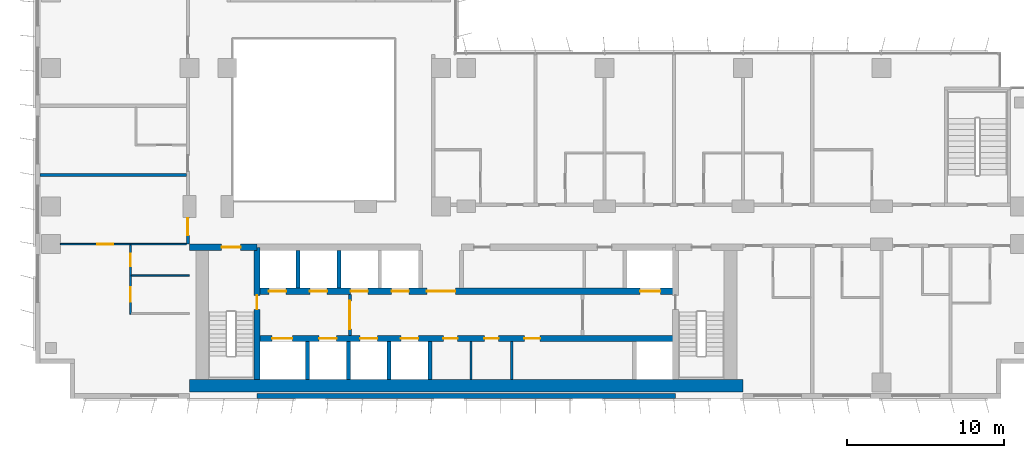
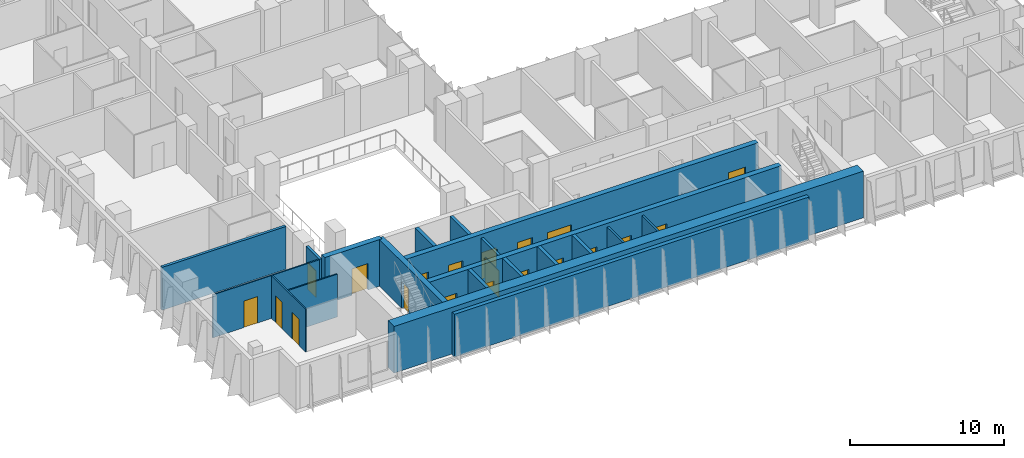
# One storey, part 12 of 23: 20 doors, 20 walls, 20 openings.
"""IFC4 building model written with IfcOpenShell, lengths in metres."""

import ifcopenshell
import ifcopenshell.guid

model = None  # the IFC model being written
_history = None  # IfcOwnerHistory: only IFC2X3 demands one
_inside = {}  # id of a spatial element -> (the spatial element, [elements in it])
_under = {}  # id of a project, library or spatial element -> (it, [spatial elements below it])
_declared = {}  # id of a project -> (the project, [libraries it declares])
_typed = {}  # id of a type object -> (the type object, [elements of that type])
_made_of = {}  # id of a material, layer set ... -> (it, [elements and type objects made of it])


def new_model(schema):
    """Start an empty IFC model of exactly this schema.

    Asked for "IFC4X3", IfcOpenShell would pick the latest addendum, in which some entities
    have other attributes; the version numbers below select the first issue.
    IFC2X3 requires an IfcOwnerHistory on every rooted entity: one is made here for all.
    """
    global model, _history
    if schema == "IFC4X3":
        model = ifcopenshell.file(schema_version=(4, 3, 0, 0))
    else:
        model = ifcopenshell.file(schema=schema)
    _inside.clear()
    _under.clear()
    _declared.clear()
    _typed.clear()
    _made_of.clear()
    _history = None
    if model.schema == "IFC2X3":
        org = make("IfcOrganization", Name="unknown")
        user = make(
            "IfcPersonAndOrganization",
            ThePerson=make("IfcPerson", FamilyName="unknown"),
            TheOrganization=org,
        )
        app = make(
            "IfcApplication",
            ApplicationDeveloper=org,
            Version="unknown",
            ApplicationFullName="unknown",
            ApplicationIdentifier="unknown",
        )
        _history = make(
            "IfcOwnerHistory",
            OwningUser=user,
            OwningApplication=app,
            ChangeAction="ADDED",
            CreationDate=0,
        )
    return model


def make(cls, **values):
    """One entity of the class cls with the attributes given. An attribute that is None is left unset."""
    return model.create_entity(
        cls, **{name: value for name, value in values.items() if value is not None}
    )


def rooted(cls, **values):
    """An entity with a GlobalId (a new one), such as an element, a storey or a relation."""
    return make(cls, GlobalId=ifcopenshell.guid.new(), OwnerHistory=_history, **values)


def si_unit(unit_type, name, prefix=None):
    """IfcSIUnit, for example si_unit("LENGTHUNIT", "METRE", prefix="MILLI")."""
    return make("IfcSIUnit", UnitType=unit_type, Prefix=prefix, Name=name)


def assignment(units):
    """IfcUnitAssignment: the units of a project."""
    return None if units is None else make("IfcUnitAssignment", Units=units)


def point(xyz):
    """IfcCartesianPoint."""
    return None if xyz is None else make("IfcCartesianPoint", Coordinates=xyz)


def direction(xyz):
    """IfcDirection."""
    return None if xyz is None else make("IfcDirection", DirectionRatios=xyz)


def frame(location, z_axis=None, x_axis=None):
    """IfcAxis2Placement3D, a coordinate frame: its origin and axes. An axis left out is left unset."""
    return make(
        "IfcAxis2Placement3D",
        Location=point(location),
        Axis=direction(z_axis),
        RefDirection=direction(x_axis),
    )


def frame_2d(location, x_axis=None):
    """IfcAxis2Placement2D, a coordinate frame in the plane: its origin and x axis."""
    return make(
        "IfcAxis2Placement2D", Location=point(location), RefDirection=direction(x_axis)
    )


def origin():
    """The frame at (0, 0, 0) with its axes left unset."""
    return frame((0.0, 0.0, 0.0))


def place(relative_to, where):
    """IfcLocalPlacement: puts the frame where relative to a parent placement (None: the world)."""
    return make(
        "IfcLocalPlacement", PlacementRelTo=relative_to, RelativePlacement=where
    )


def context(
    kind, dimensions, precision=None, world=None, true_north=None, identifier=None
):
    """IfcGeometricRepresentationContext, for example the 3D "Model" context."""
    return make(
        "IfcGeometricRepresentationContext",
        ContextIdentifier=identifier,
        ContextType=kind,
        CoordinateSpaceDimension=dimensions,
        Precision=precision,
        WorldCoordinateSystem=world,
        TrueNorth=true_north,
    )


def subcontext(parent, identifier, kind, view, scale=None):
    """IfcGeometricRepresentationSubContext, for example "Body" below "Model"."""
    return make(
        "IfcGeometricRepresentationSubContext",
        ContextIdentifier=identifier,
        ContextType=kind,
        ParentContext=parent,
        TargetScale=scale,
        TargetView=view,
    )


def project(units=None, contexts=None):
    """IfcProject with its units and contexts."""
    return rooted(
        "IfcProject",
        Name="project",
        RepresentationContexts=contexts,
        UnitsInContext=assignment(units),
    )


def spatial(cls, under=None, at=None, **own):
    """A site, building, storey or space (cls), placed at a placement, below another one or the project."""
    s = rooted(cls, ObjectPlacement=at, **own)
    if under is not None:
        _under.setdefault(under.id(), (under, []))[1].append(s)
    return s


def profile(cls, at=None, kind="AREA", **sizes):
    """A parametric profile (cls). Its sizes go by their IFC names, for example OverallWidth=200.0."""
    return make(cls, ProfileType=kind, Position=at, **sizes)


def rectangle(**sizes):
    """IfcRectangleProfileDef."""
    return profile("IfcRectangleProfileDef", **sizes)


def extrude(swept, where, along, depth):
    """IfcExtrudedAreaSolid: the profile swept, set in the frame where, extruded along a direction by depth."""
    return make(
        "IfcExtrudedAreaSolid",
        SweptArea=swept,
        Position=where,
        ExtrudedDirection=direction(along),
        Depth=depth,
    )


def shape(context_of_items, identifier, shape_type, items):
    """IfcShapeRepresentation: the items that make up one representation, for example the "Body"."""
    return make(
        "IfcShapeRepresentation",
        ContextOfItems=context_of_items,
        RepresentationIdentifier=identifier,
        RepresentationType=shape_type,
        Items=items,
    )


def material(Name=None, Category=None):
    """IfcMaterial."""
    return make("IfcMaterial", Name=Name, Category=Category)


def layer(
    of_material, thickness, ventilated=None, Name=None, Category=None, Priority=None
):
    """IfcMaterialLayer: one layer of a wall or slab, of a material (None: an air gap)."""
    return make(
        "IfcMaterialLayer",
        Material=of_material,
        LayerThickness=thickness,
        IsVentilated=ventilated,
        Name=Name,
        Category=Category,
        Priority=Priority,
    )


def layer_set(layers, Name=None):
    """IfcMaterialLayerSet."""
    return make("IfcMaterialLayerSet", MaterialLayers=layers, LayerSetName=Name)


def made_of(thing, what):
    """Note that an element or type object is made of a material, layer set ...; save() writes the relation."""
    if what is not None:
        _made_of.setdefault(what.id(), (what, []))[1].append(thing)
    return thing


def type_object(cls, material=None, **own):
    """A type object (cls), such as IfcWallType, which elements share."""
    return made_of(rooted(cls, **own), material)


def element(
    cls,
    number,
    at=None,
    inside=None,
    cuts=None,
    type_object=None,
    material=None,
    context=None,
    identifier="Body",
    shape_type=None,
    held_by="IfcProductDefinitionShape",
    body=None,
    shapes=None,
    **own,
):
    """One element of the class cls, such as IfcWall. Its Tag is "e" and its number.

    at: its placement. inside: the storey or other place that contains it. cuts: it is an
    opening in that element (IfcRelVoidsElement). A single representation is given by context,
    identifier, shape_type and body (its items); several are given by shapes. held_by: the class
    of the entity that holds the representations. save() writes the other relations.
    """
    e = rooted(cls, Tag="e%d" % number, ObjectPlacement=at, **own)
    if body is not None:
        shapes = [shape(context, identifier, shape_type, body)]
    if shapes is not None:
        e.Representation = make(held_by, Representations=shapes)
    if inside is not None:
        _inside.setdefault(inside.id(), (inside, []))[1].append(e)
    if cuts is not None:
        rooted(
            "IfcRelVoidsElement", RelatingBuildingElement=cuts, RelatedOpeningElement=e
        )
    if type_object is not None:
        _typed.setdefault(type_object.id(), (type_object, []))[1].append(e)
    return made_of(e, material)


def fill(opening, filler):
    """IfcRelFillsElement: the door or window that sits in an opening."""
    return rooted(
        "IfcRelFillsElement",
        RelatingOpeningElement=opening,
        RelatedBuildingElement=filler,
    )


def aggregate(whole, parts):
    """IfcRelAggregates: a whole, such as a stair, and the parts it consists of."""
    return rooted("IfcRelAggregates", RelatingObject=whole, RelatedObjects=parts)


def save(model, path):
    """Write the relations noted so far, then the file.

    IfcRelAggregates (storeys below a building ...), IfcRelContainedInSpatialStructure (elements
    in a storey), IfcRelDefinesByType, IfcRelAssociatesMaterial and IfcRelDeclares: one each for
    every whole, place, type object, material and project.
    """
    for whole, parts in _under.values():
        aggregate(whole, parts)
    for where, things in _inside.values():
        rooted(
            "IfcRelContainedInSpatialStructure",
            RelatedElements=things,
            RelatingStructure=where,
        )
    for kind, things in _typed.values():
        rooted("IfcRelDefinesByType", RelatedObjects=things, RelatingType=kind)
    for what, things in _made_of.values():
        rooted("IfcRelAssociatesMaterial", RelatedObjects=things, RelatingMaterial=what)
    for by, libraries in _declared.values():
        rooted("IfcRelDeclares", RelatingContext=by, RelatedDefinitions=libraries)
    model.write(path)


model = new_model("IFC4")

# Units and contexts
model_context = context("Model", 3, precision=1e-05, world=origin(), true_north=direction((0.0, 1.0)))
body_context = subcontext(model_context, "Body", "Model", "MODEL_VIEW")
ifc_project = project(units=[si_unit("LENGTHUNIT", "METRE"), si_unit("AREAUNIT", "SQUARE_METRE"), si_unit("VOLUMEUNIT", "CUBIC_METRE"), si_unit("PLANEANGLEUNIT", "RADIAN"), si_unit("MASSUNIT", "GRAM", prefix="KILO")], contexts=[model_context])

# Site, building, storey
site_placement = place(None, origin())
site = spatial("IfcSite", under=ifc_project, at=site_placement, CompositionType="ELEMENT")
building_placement = place(site_placement, origin())
building = spatial("IfcBuilding", under=site, at=building_placement, Name="Kemantara Hotel Tower", CompositionType="ELEMENT")
storey_placement = place(building_placement, frame((0.0, 0.0, 114.800048828125)))
storey = spatial("IfcBuildingStorey", under=building, at=storey_placement, Name="L27", CompositionType="ELEMENT", Elevation=114.800048828125)

# Walls
ifc_material_1 = material(Name="Bronze anodised aluminium cladding on insulated steel stud wall", Category="steel")
ifc_layer_1 = layer(ifc_material_1, 0.300048828125)
ifc_layer_set_1 = layer_set([ifc_layer_1], Name="Bronze anodised aluminium cladding on insulated steel stud wall")
wall_type_1 = type_object("IfcWallType", Name="BRONZE METAL-CLAD EXTERNAL WALL 300", PredefinedType="STANDARD", material=ifc_layer_set_1)
wall_1_placement = place(storey_placement, frame((14.10009765625, 0.14990234375, 0.0), z_axis=(0.0, 0.0, 1.0), x_axis=(1.0, 0.0, 0.0)))
element("IfcWall", 1, at=wall_1_placement, inside=storey, type_object=wall_type_1, Name="EXTERNAL WALL L27 T2-R07-2", PredefinedType="STANDARD", context=body_context, shape_type="SweptSolid", body=[
    extrude(rectangle(XDim=26.599853515625, YDim=0.300048828125, at=frame_2d((13.2998046875, 0.0))), origin(), (0.0, 0.0, 1.0), 3.39990234375),
])
ifc_material_2 = material(Name="Concrete fc 70 MPa", Category="concrete")
ifc_layer_2 = layer(ifc_material_2, 0.25)
ifc_layer_set_2 = layer_set([ifc_layer_2], Name="Concrete fc 70 MPa")
wall_type_2 = type_object("IfcWallType", Name="CORE WALL 250 FC70", PredefinedType="SHEAR", material=ifc_layer_set_2)
for number, where, z_axis, x_axis, name in (
    (2, (17.300048828125, 1.199951171875, 0.0), (0.0, 0.0, 1.0), (0.0, 1.0, 0.0), "CORE WALL CW-DS17.3"),
    (3, (19.89990234375, 1.199951171875, 0.0), (0.0, 0.0, 1.0), (0.0, 1.0, 0.0), "CORE WALL CW-DS19.9"),
    (4, (22.5, 1.199951171875, 0.0), (0.0, 0.0, 1.0), (0.0, 1.0, 0.0), "CORE WALL CW-DS22.5"),
    (5, (25.10009765625, 1.199951171875, 0.0), (0.0, 0.0, 1.0), (0.0, 1.0, 0.0), "CORE WALL CW-DS25.1"),
):
    element("IfcWall", number, at=place(storey_placement, frame(where, z_axis=z_axis, x_axis=x_axis)), inside=storey, type_object=wall_type_2, Name=name, PredefinedType="SHEAR", context=body_context, shape_type="SweptSolid", body=[
        extrude(rectangle(XDim=2.400146484375, YDim=0.25, at=frame_2d((1.2001953125, 0.0))), origin(), (0.0, 0.0, 1.0), 3.699951171875),
    ])
for number, where, z_axis, x_axis, name in (
    (6, (16.699951171875, 7.0, 0.0), (0.0, 0.0, 1.0), (0.0, 1.0, 0.0), "CORE WALL CW-DN16.7"),
    (7, (19.300048828125, 7.0, 0.0), (0.0, 0.0, 1.0), (0.0, 1.0, 0.0), "CORE WALL CW-DN19.3"),
):
    element("IfcWall", number, at=place(storey_placement, frame(where, z_axis=z_axis, x_axis=x_axis)), inside=storey, type_object=wall_type_2, Name=name, PredefinedType="SHEAR", context=body_context, shape_type="SweptSolid", body=[
        extrude(rectangle(XDim=2.39990234375, YDim=0.25, at=frame_2d((1.199951171875, 0.0))), origin(), (0.0, 0.0, 1.0), 3.699951171875),
    ])

# Wall, opening, door
ifc_layer_3 = layer(ifc_material_2, 0.39990234375)
ifc_layer_set_3 = layer_set([ifc_layer_3], Name="Concrete fc 70 MPa")
wall_type_3 = type_object("IfcWallType", Name="CORE WALL 400 FC70", PredefinedType="SHEAR", material=ifc_layer_set_3)
wall_2_placement = place(storey_placement, frame((9.800048828125, 9.60009765625, 0.0), z_axis=(0.0, 0.0, 1.0), x_axis=(1.0, 0.0, 0.0)))
wall_2 = element("IfcWall", 8, at=wall_2_placement, inside=storey, type_object=wall_type_3, Name="CORE WALL CW-N1", PredefinedType="SHEAR", context=body_context, shape_type="SweptSolid", body=[
    extrude(rectangle(XDim=4.300048828125, YDim=0.39990234375, at=frame_2d((2.14990234375, 0.0))), origin(), (0.0, 0.0, 1.0), 3.699951171875),
])
opening_1_placement = place(wall_2_placement, frame((2.050048828125, 0.0, 0.0)))
opening_1 = element("IfcOpeningElement", 9, at=opening_1_placement, cuts=wall_2, Name="Opening C19-ST1-C", PredefinedType="OPENING", context=body_context, shape_type="SweptSolid", body=[
    extrude(rectangle(XDim=1.199951171875, YDim=2.10009765625, at=frame_2d((0.60009765625, 1.050048828125))), frame((0.0, 0.2099609375, 0.0), z_axis=(0.0, -1.0, 0.0), x_axis=(1.0, 0.0, 0.0)), (0.0, 0.0, 1.0), 0.419921875),
])
ifc_material_3 = material(Name="Steel fire door", Category="steel")
door_type_1 = type_object("IfcDoorType", Name="Fire door FD90 1200 x 2100", OperationType="NOTDEFINED", PredefinedType="DOOR", material=ifc_material_3)
door_1_placement = place(opening_1_placement, frame((1.199951171875, 0.0, 0.0), z_axis=(0.0, 0.0, 1.0), x_axis=(-1.0, 0.0, 0.0)))
door_1 = element("IfcDoor", 10, at=door_1_placement, inside=storey, type_object=door_type_1, Name="Stair ST1 door to corridor", OperationType="SINGLE_SWING_LEFT", OverallHeight=2.10009765625, OverallWidth=1.199951171875, PredefinedType="DOOR", context=body_context, shape_type="SweptSolid", body=[
    extrude(rectangle(XDim=1.199951171875, YDim=2.10009765625, at=frame_2d((0.60009765625, 1.050048828125))), frame((0.0, 0.02490234375, 0.0), z_axis=(0.0, -1.0, 0.0), x_axis=(1.0, 0.0, 0.0)), (0.0, 0.0, 1.0), 0.050048828125),
])
fill(opening_1, door_1)

# Wall, openings, doors
wall_3_placement = place(storey_placement, frame((14.10009765625, 3.800048828125, 0.0), z_axis=(0.0, 0.0, 1.0), x_axis=(1.0, 0.0, 0.0)))
wall_3 = element("IfcWall", 11, at=wall_3_placement, inside=storey, type_object=wall_type_3, Name="CORE WALL CW-L1", PredefinedType="SHEAR", context=body_context, shape_type="SweptSolid", body=[
    extrude(rectangle(XDim=26.599853515625, YDim=0.39990234375, at=frame_2d((13.2998046875, 0.0))), origin(), (0.0, 0.0, 1.0), 3.699951171875),
])
opening_2_placement = place(wall_3_placement, frame((0.949951171875, 0.0, 0.0)))
opening_2 = element("IfcOpeningElement", 12, at=opening_2_placement, cuts=wall_3, Name="Opening C19-LD-FF1", PredefinedType="OPENING", context=body_context, shape_type="SweptSolid", body=[
    extrude(rectangle(XDim=1.300048828125, YDim=2.10009765625, at=frame_2d((0.64990234375, 1.050048828125))), frame((0.0, 0.2099609375, 0.0), z_axis=(0.0, -1.0, 0.0), x_axis=(1.0, 0.0, 0.0)), (0.0, 0.0, 1.0), 0.419921875),
])
opening_3_placement = place(wall_3_placement, frame((3.949951171875, 0.0, 0.0)))
opening_3 = element("IfcOpeningElement", 13, at=opening_3_placement, cuts=wall_3, Name="Opening C19-LD-SV1", PredefinedType="OPENING", context=body_context, shape_type="SweptSolid", body=[
    extrude(rectangle(XDim=1.10009765625, YDim=2.10009765625, at=frame_2d((0.550048828125, 1.050048828125))), frame((0.0, 0.2099609375, 0.0), z_axis=(0.0, -1.0, 0.0), x_axis=(1.0, 0.0, 0.0)), (0.0, 0.0, 1.0), 0.419921875),
])
opening_4_placement = place(wall_3_placement, frame((6.550048828125, 0.0, 0.0)))
opening_4 = element("IfcOpeningElement", 14, at=opening_4_placement, cuts=wall_3, Name="Opening C19-LD-SV2", PredefinedType="OPENING", context=body_context, shape_type="SweptSolid", body=[
    extrude(rectangle(XDim=1.10009765625, YDim=2.10009765625, at=frame_2d((0.550048828125, 1.050048828125))), frame((0.0, 0.2099609375, 0.0), z_axis=(0.0, -1.0, 0.0), x_axis=(1.0, 0.0, 0.0)), (0.0, 0.0, 1.0), 0.419921875),
])
opening_5_placement = place(wall_3_placement, frame((9.14990234375, 0.0, 0.0)))
opening_5 = element("IfcOpeningElement", 15, at=opening_5_placement, cuts=wall_3, Name="Opening C19-LD-SV3", PredefinedType="OPENING", context=body_context, shape_type="SweptSolid", body=[
    extrude(rectangle(XDim=1.10009765625, YDim=2.10009765625, at=frame_2d((0.550048828125, 1.050048828125))), frame((0.0, 0.2099609375, 0.0), z_axis=(0.0, -1.0, 0.0), x_axis=(1.0, 0.0, 0.0)), (0.0, 0.0, 1.0), 0.419921875),
])
opening_6_placement = place(wall_3_placement, frame((11.85009765625, 0.0, 0.0)))
opening_6 = element("IfcOpeningElement", 16, at=opening_6_placement, cuts=wall_3, Name="Opening C19-R-SM1", PredefinedType="OPENING", context=body_context, shape_type="SweptSolid", body=[
    extrude(rectangle(XDim=0.89990234375, YDim=2.10009765625, at=frame_2d((0.449951171875, 1.050048828125))), frame((0.0, 0.2099609375, 0.0), z_axis=(0.0, -1.0, 0.0), x_axis=(1.0, 0.0, 0.0)), (0.0, 0.0, 1.0), 0.419921875),
])
opening_7_placement = place(wall_3_placement, frame((14.449951171875, 0.0, 0.0)))
opening_7 = element("IfcOpeningElement", 17, at=opening_7_placement, cuts=wall_3, Name="Opening C19-R-SM2", PredefinedType="OPENING", context=body_context, shape_type="SweptSolid", body=[
    extrude(rectangle(XDim=0.89990234375, YDim=2.10009765625, at=frame_2d((0.449951171875, 1.050048828125))), frame((0.0, 0.2099609375, 0.0), z_axis=(0.0, -1.0, 0.0), x_axis=(1.0, 0.0, 0.0)), (0.0, 0.0, 1.0), 0.419921875),
])
opening_8_placement = place(wall_3_placement, frame((17.0, 0.0, 0.0)))
opening_8 = element("IfcOpeningElement", 18, at=opening_8_placement, cuts=wall_3, Name="Opening C19-R-SM3", PredefinedType="OPENING", context=body_context, shape_type="SweptSolid", body=[
    extrude(rectangle(XDim=1.0, YDim=2.10009765625, at=frame_2d((0.5, 1.050048828125))), frame((0.0, 0.2099609375, 0.0), z_axis=(0.0, -1.0, 0.0), x_axis=(1.0, 0.0, 0.0)), (0.0, 0.0, 1.0), 0.419921875),
])
door_type_2 = type_object("IfcDoorType", Name="Fire door FD30S 1000 x 2100", OperationType="NOTDEFINED", PredefinedType="DOOR", material=ifc_material_3)
door_2_placement = place(opening_8_placement, frame((1.0, 0.0, 0.0), z_axis=(0.0, 0.0, 1.0), x_axis=(-1.0, 0.0, 0.0)))
door_2 = element("IfcDoor", 19, at=door_2_placement, inside=storey, type_object=door_type_2, Name="Linen Store door", OperationType="SINGLE_SWING_LEFT", OverallHeight=2.10009765625, OverallWidth=1.0, PredefinedType="DOOR", context=body_context, shape_type="SweptSolid", body=[
    extrude(rectangle(XDim=1.0, YDim=2.10009765625, at=frame_2d((0.5, 1.050048828125))), frame((0.0, 0.02490234375, 0.0), z_axis=(0.0, -1.0, 0.0), x_axis=(1.0, 0.0, 0.0)), (0.0, 0.0, 1.0), 0.050048828125),
])
fill(opening_8, door_2)
door_type_3 = type_object("IfcDoorType", Name="Fire door FD30S 900 x 2100", OperationType="NOTDEFINED", PredefinedType="DOOR", material=ifc_material_3)
door_3_placement = place(opening_7_placement, frame((0.89990234375, 0.0, 0.0), z_axis=(0.0, 0.0, 1.0), x_axis=(-1.0, 0.0, 0.0)))
door_3 = element("IfcDoor", 20, at=door_3_placement, inside=storey, type_object=door_type_3, Name="Staff Wc door", OperationType="SINGLE_SWING_LEFT", OverallHeight=2.10009765625, OverallWidth=0.89990234375, PredefinedType="DOOR", context=body_context, shape_type="SweptSolid", body=[
    extrude(rectangle(XDim=0.89990234375, YDim=2.10009765625, at=frame_2d((0.449951171875, 1.050048828125))), frame((0.0, 0.02490234375, 0.0), z_axis=(0.0, -1.0, 0.0), x_axis=(1.0, 0.0, 0.0)), (0.0, 0.0, 1.0), 0.050048828125),
])
fill(opening_7, door_3)
door_type_4 = type_object("IfcDoorType", Name="Fire door FD60 900 x 2100", OperationType="NOTDEFINED", PredefinedType="DOOR", material=ifc_material_3)
door_4_placement = place(opening_6_placement, frame((0.89990234375, 0.0, 0.0), z_axis=(0.0, 0.0, 1.0), x_axis=(-1.0, 0.0, 0.0)))
door_4 = element("IfcDoor", 21, at=door_4_placement, inside=storey, type_object=door_type_4, Name="Electrical Riser Room door", OperationType="SINGLE_SWING_RIGHT", OverallHeight=2.10009765625, OverallWidth=0.89990234375, PredefinedType="DOOR", context=body_context, shape_type="SweptSolid", body=[
    extrude(rectangle(XDim=0.89990234375, YDim=2.10009765625, at=frame_2d((0.449951171875, 1.050048828125))), frame((0.0, 0.02490234375, 0.0), z_axis=(0.0, -1.0, 0.0), x_axis=(1.0, 0.0, 0.0)), (0.0, 0.0, 1.0), 0.050048828125),
])
fill(opening_6, door_4)
ifc_material_4 = material(Name="Stainless steel lift door", Category="steel")
door_type_5 = type_object("IfcDoorType", Name="Lift landing door 1100 x 2100 FD60", OperationType="DOUBLE_DOOR_SLIDING", PredefinedType="DOOR", material=ifc_material_4)
door_5_placement = place(opening_3_placement, origin())
door_5 = element("IfcDoor", 22, at=door_5_placement, inside=storey, type_object=door_type_5, Name="Lift SV1 landing door", OperationType="DOUBLE_DOOR_SLIDING", OverallHeight=2.10009765625, OverallWidth=1.10009765625, PredefinedType="DOOR", context=body_context, shape_type="SweptSolid", body=[
    extrude(rectangle(XDim=1.10009765625, YDim=2.10009765625, at=frame_2d((0.550048828125, 1.050048828125))), frame((0.0, 0.02490234375, 0.0), z_axis=(0.0, -1.0, 0.0), x_axis=(1.0, 0.0, 0.0)), (0.0, 0.0, 1.0), 0.050048828125),
])
fill(opening_3, door_5)
door_6_placement = place(opening_4_placement, origin())
door_6 = element("IfcDoor", 23, at=door_6_placement, inside=storey, type_object=door_type_5, Name="Lift SV2 landing door", OperationType="DOUBLE_DOOR_SLIDING", OverallHeight=2.10009765625, OverallWidth=1.10009765625, PredefinedType="DOOR", context=body_context, shape_type="SweptSolid", body=[
    extrude(rectangle(XDim=1.10009765625, YDim=2.10009765625, at=frame_2d((0.550048828125, 1.050048828125))), frame((0.0, 0.02490234375, 0.0), z_axis=(0.0, -1.0, 0.0), x_axis=(1.0, 0.0, 0.0)), (0.0, 0.0, 1.0), 0.050048828125),
])
fill(opening_4, door_6)
door_7_placement = place(opening_5_placement, origin())
door_7 = element("IfcDoor", 24, at=door_7_placement, inside=storey, type_object=door_type_5, Name="Lift SV3 landing door", OperationType="DOUBLE_DOOR_SLIDING", OverallHeight=2.10009765625, OverallWidth=1.10009765625, PredefinedType="DOOR", context=body_context, shape_type="SweptSolid", body=[
    extrude(rectangle(XDim=1.10009765625, YDim=2.10009765625, at=frame_2d((0.550048828125, 1.050048828125))), frame((0.0, 0.02490234375, 0.0), z_axis=(0.0, -1.0, 0.0), x_axis=(1.0, 0.0, 0.0)), (0.0, 0.0, 1.0), 0.050048828125),
])
fill(opening_5, door_7)
door_type_6 = type_object("IfcDoorType", Name="Lift landing door 1300 x 2100 FD90", OperationType="DOUBLE_DOOR_SLIDING", PredefinedType="DOOR", material=ifc_material_4)
door_8_placement = place(opening_2_placement, origin())
door_8 = element("IfcDoor", 25, at=door_8_placement, inside=storey, type_object=door_type_6, Name="Lift FF1 landing door", OperationType="DOUBLE_DOOR_SLIDING", OverallHeight=2.10009765625, OverallWidth=1.300048828125, PredefinedType="DOOR", context=body_context, shape_type="SweptSolid", body=[
    extrude(rectangle(XDim=1.300048828125, YDim=2.10009765625, at=frame_2d((0.64990234375, 1.050048828125))), frame((0.0, 0.02490234375, 0.0), z_axis=(0.0, -1.0, 0.0), x_axis=(1.0, 0.0, 0.0)), (0.0, 0.0, 1.0), 0.050048828125),
])
fill(opening_2, door_8)

wall_4_placement = place(storey_placement, frame((14.10009765625, 6.800048828125, 0.0), z_axis=(0.0, 0.0, 1.0), x_axis=(1.0, 0.0, 0.0)))
wall_4 = element("IfcWall", 26, at=wall_4_placement, inside=storey, type_object=wall_type_3, Name="CORE WALL CW-L2", PredefinedType="SHEAR", context=body_context, shape_type="SweptSolid", body=[
    extrude(rectangle(XDim=26.599853515625, YDim=0.39990234375, at=frame_2d((13.2998046875, 0.0))), origin(), (0.0, 0.0, 1.0), 3.699951171875),
])
opening_9_placement = place(wall_4_placement, frame((10.800048828125, 0.0, 0.0)))
opening_9 = element("IfcOpeningElement", 27, at=opening_9_placement, cuts=wall_4, Name="Opening C19-VL", PredefinedType="OPENING", context=body_context, shape_type="SweptSolid", body=[
    extrude(rectangle(XDim=1.800048828125, YDim=2.10009765625, at=frame_2d((0.89990234375, 1.050048828125))), frame((0.0, 0.2099609375, 0.0), z_axis=(0.0, -1.0, 0.0), x_axis=(1.0, 0.0, 0.0)), (0.0, 0.0, 1.0), 0.419921875),
])
opening_10_placement = place(wall_4_placement, frame((0.75, 0.0, 0.0)))
opening_10 = element("IfcOpeningElement", 28, at=opening_10_placement, cuts=wall_4, Name="Opening C19-LD-MR1", PredefinedType="OPENING", context=body_context, shape_type="SweptSolid", body=[
    extrude(rectangle(XDim=1.10009765625, YDim=2.10009765625, at=frame_2d((0.550048828125, 1.050048828125))), frame((0.0, 0.2099609375, 0.0), z_axis=(0.0, -1.0, 0.0), x_axis=(1.0, 0.0, 0.0)), (0.0, 0.0, 1.0), 0.419921875),
])
opening_11_placement = place(wall_4_placement, frame((3.35009765625, 0.0, 0.0)))
opening_11 = element("IfcOpeningElement", 29, at=opening_11_placement, cuts=wall_4, Name="Opening C19-LD-MR2", PredefinedType="OPENING", context=body_context, shape_type="SweptSolid", body=[
    extrude(rectangle(XDim=1.10009765625, YDim=2.10009765625, at=frame_2d((0.550048828125, 1.050048828125))), frame((0.0, 0.2099609375, 0.0), z_axis=(0.0, -1.0, 0.0), x_axis=(1.0, 0.0, 0.0)), (0.0, 0.0, 1.0), 0.419921875),
])
opening_12_placement = place(wall_4_placement, frame((5.949951171875, 0.0, 0.0)))
opening_12 = element("IfcOpeningElement", 30, at=opening_12_placement, cuts=wall_4, Name="Opening C19-LD-MR3", PredefinedType="OPENING", context=body_context, shape_type="SweptSolid", body=[
    extrude(rectangle(XDim=1.10009765625, YDim=2.10009765625, at=frame_2d((0.550048828125, 1.050048828125))), frame((0.0, 0.2099609375, 0.0), z_axis=(0.0, -1.0, 0.0), x_axis=(1.0, 0.0, 0.0)), (0.0, 0.0, 1.0), 0.419921875),
])
opening_13_placement = place(wall_4_placement, frame((8.550048828125, 0.0, 0.0)))
opening_13 = element("IfcOpeningElement", 31, at=opening_13_placement, cuts=wall_4, Name="Opening C19-LD-MR4", PredefinedType="OPENING", context=body_context, shape_type="SweptSolid", body=[
    extrude(rectangle(XDim=1.10009765625, YDim=2.10009765625, at=frame_2d((0.550048828125, 1.050048828125))), frame((0.0, 0.2099609375, 0.0), z_axis=(0.0, -1.0, 0.0), x_axis=(1.0, 0.0, 0.0)), (0.0, 0.0, 1.0), 0.419921875),
])
opening_14_placement = place(wall_4_placement, frame((24.35009765625, 0.0, 0.0)))
opening_14 = element("IfcOpeningElement", 32, at=opening_14_placement, cuts=wall_4, Name="Opening C19-LD-FF2", PredefinedType="OPENING", context=body_context, shape_type="SweptSolid", body=[
    extrude(rectangle(XDim=1.300048828125, YDim=2.10009765625, at=frame_2d((0.64990234375, 1.050048828125))), frame((0.0, 0.2099609375, 0.0), z_axis=(0.0, -1.0, 0.0), x_axis=(1.0, 0.0, 0.0)), (0.0, 0.0, 1.0), 0.419921875),
])
door_type_7 = type_object("IfcDoorType", Name="Fire door pair FD60 1800 x 2100", OperationType="DOUBLE_DOOR_SINGLE_SWING", PredefinedType="DOOR", material=ifc_material_3)
door_9_placement = place(opening_9_placement, frame((1.800048828125, 0.0, 0.0), z_axis=(0.0, 0.0, 1.0), x_axis=(-1.0, 0.0, 0.0)))
door_9 = element("IfcDoor", 33, at=door_9_placement, inside=storey, type_object=door_type_7, Name="Lift lobby entry door", OperationType="DOUBLE_DOOR_SINGLE_SWING", OverallHeight=2.10009765625, OverallWidth=1.800048828125, PredefinedType="DOOR", context=body_context, shape_type="SweptSolid", body=[
    extrude(rectangle(XDim=1.800048828125, YDim=2.10009765625, at=frame_2d((0.89990234375, 1.050048828125))), frame((0.0, 0.02490234375, 0.0), z_axis=(0.0, -1.0, 0.0), x_axis=(1.0, 0.0, 0.0)), (0.0, 0.0, 1.0), 0.050048828125),
])
fill(opening_9, door_9)
door_10_placement = place(opening_10_placement, origin())
door_10 = element("IfcDoor", 34, at=door_10_placement, inside=storey, type_object=door_type_5, Name="Lift MR1 landing door", OperationType="DOUBLE_DOOR_SLIDING", OverallHeight=2.10009765625, OverallWidth=1.10009765625, PredefinedType="DOOR", context=body_context, shape_type="SweptSolid", body=[
    extrude(rectangle(XDim=1.10009765625, YDim=2.10009765625, at=frame_2d((0.550048828125, 1.050048828125))), frame((0.0, 0.02490234375, 0.0), z_axis=(0.0, -1.0, 0.0), x_axis=(1.0, 0.0, 0.0)), (0.0, 0.0, 1.0), 0.050048828125),
])
fill(opening_10, door_10)
door_11_placement = place(opening_11_placement, origin())
door_11 = element("IfcDoor", 35, at=door_11_placement, inside=storey, type_object=door_type_5, Name="Lift MR2 landing door", OperationType="DOUBLE_DOOR_SLIDING", OverallHeight=2.10009765625, OverallWidth=1.10009765625, PredefinedType="DOOR", context=body_context, shape_type="SweptSolid", body=[
    extrude(rectangle(XDim=1.10009765625, YDim=2.10009765625, at=frame_2d((0.550048828125, 1.050048828125))), frame((0.0, 0.02490234375, 0.0), z_axis=(0.0, -1.0, 0.0), x_axis=(1.0, 0.0, 0.0)), (0.0, 0.0, 1.0), 0.050048828125),
])
fill(opening_11, door_11)
door_12_placement = place(opening_12_placement, origin())
door_12 = element("IfcDoor", 36, at=door_12_placement, inside=storey, type_object=door_type_5, Name="Lift MR3 landing door", OperationType="DOUBLE_DOOR_SLIDING", OverallHeight=2.10009765625, OverallWidth=1.10009765625, PredefinedType="DOOR", context=body_context, shape_type="SweptSolid", body=[
    extrude(rectangle(XDim=1.10009765625, YDim=2.10009765625, at=frame_2d((0.550048828125, 1.050048828125))), frame((0.0, 0.02490234375, 0.0), z_axis=(0.0, -1.0, 0.0), x_axis=(1.0, 0.0, 0.0)), (0.0, 0.0, 1.0), 0.050048828125),
])
fill(opening_12, door_12)
door_13_placement = place(opening_13_placement, origin())
door_13 = element("IfcDoor", 37, at=door_13_placement, inside=storey, type_object=door_type_5, Name="Lift MR4 landing door", OperationType="DOUBLE_DOOR_SLIDING", OverallHeight=2.10009765625, OverallWidth=1.10009765625, PredefinedType="DOOR", context=body_context, shape_type="SweptSolid", body=[
    extrude(rectangle(XDim=1.10009765625, YDim=2.10009765625, at=frame_2d((0.550048828125, 1.050048828125))), frame((0.0, 0.02490234375, 0.0), z_axis=(0.0, -1.0, 0.0), x_axis=(1.0, 0.0, 0.0)), (0.0, 0.0, 1.0), 0.050048828125),
])
fill(opening_13, door_13)
door_14_placement = place(opening_14_placement, origin())
door_14 = element("IfcDoor", 38, at=door_14_placement, inside=storey, type_object=door_type_6, Name="Lift FF2 landing door", OperationType="DOUBLE_DOOR_SLIDING", OverallHeight=2.10009765625, OverallWidth=1.300048828125, PredefinedType="DOOR", context=body_context, shape_type="SweptSolid", body=[
    extrude(rectangle(XDim=1.300048828125, YDim=2.10009765625, at=frame_2d((0.64990234375, 1.050048828125))), frame((0.0, 0.02490234375, 0.0), z_axis=(0.0, -1.0, 0.0), x_axis=(1.0, 0.0, 0.0)), (0.0, 0.0, 1.0), 0.050048828125),
])
fill(opening_14, door_14)

# Wall, opening, door
wall_5_placement = place(storey_placement, frame((14.10009765625, 1.199951171875, 0.0), z_axis=(0.0, 0.0, 1.0), x_axis=(0.0, 1.0, 0.0)))
wall_5 = element("IfcWall", 39, at=wall_5_placement, inside=storey, type_object=wall_type_3, Name="CORE WALL CW-ST1E", PredefinedType="SHEAR", context=body_context, shape_type="SweptSolid", body=[
    extrude(rectangle(XDim=8.400146484375, YDim=0.39990234375, at=frame_2d((4.2001953125, 0.0))), origin(), (0.0, 0.0, 1.0), 3.699951171875),
])
opening_15_placement = place(wall_5_placement, frame((4.449951171875, 0.0, 0.0)))
opening_15 = element("IfcOpeningElement", 40, at=opening_15_placement, cuts=wall_5, Name="Opening C19-ST1-F", PredefinedType="OPENING", context=body_context, shape_type="SweptSolid", body=[
    extrude(rectangle(XDim=0.89990234375, YDim=2.10009765625, at=frame_2d((0.449951171875, 1.050048828125))), frame((0.0, 0.2099609375, 0.0), z_axis=(0.0, -1.0, 0.0), x_axis=(1.0, 0.0, 0.0)), (0.0, 0.0, 1.0), 0.419921875),
])
door_type_8 = type_object("IfcDoorType", Name="Fire door FD90 900 x 2100", OperationType="NOTDEFINED", PredefinedType="DOOR", material=ifc_material_3)
door_15_placement = place(opening_15_placement, origin())
door_15 = element("IfcDoor", 41, at=door_15_placement, inside=storey, type_object=door_type_8, Name="Stair ST1 door to firefighting lobby", OperationType="SINGLE_SWING_RIGHT", OverallHeight=2.10009765625, OverallWidth=0.89990234375, PredefinedType="DOOR", context=body_context, shape_type="SweptSolid", body=[
    extrude(rectangle(XDim=0.89990234375, YDim=2.10009765625, at=frame_2d((0.449951171875, 1.050048828125))), frame((0.0, 0.02490234375, 0.0), z_axis=(0.0, -1.0, 0.0), x_axis=(1.0, 0.0, 0.0)), (0.0, 0.0, 1.0), 0.050048828125),
])
fill(opening_15, door_15)

# Wall
ifc_layer_4 = layer(ifc_material_2, 0.800048828125)
ifc_layer_set_4 = layer_set([ifc_layer_4], Name="Concrete fc 70 MPa")
wall_type_4 = type_object("IfcWallType", Name="CORE WALL 800 FC70", PredefinedType="SHEAR", material=ifc_layer_set_4)
wall_6_placement = place(storey_placement, frame((9.800048828125, 0.800048828125, 0.0), z_axis=(0.0, 0.0, 1.0), x_axis=(1.0, 0.0, 0.0)))
element("IfcWall", 42, at=wall_6_placement, inside=storey, type_object=wall_type_4, Name="CORE WALL CW-S", PredefinedType="SHEAR", context=body_context, shape_type="SweptSolid", body=[
    extrude(rectangle(XDim=35.199951171875, YDim=0.800048828125, at=frame_2d((17.60009765625, 0.0))), origin(), (0.0, 0.0, 1.0), 3.699951171875),
])

# Wall, opening, door
ifc_material_5 = material(Name="Gypsum board partition, steel studs and mineral wool, 200 mm", Category="steel")
ifc_layer_5 = layer(ifc_material_5, 0.199951171875)
ifc_layer_set_5 = layer_set([ifc_layer_5], Name="Gypsum board partition, steel studs and mineral wool, 200 mm")
wall_type_5 = type_object("IfcWallType", Name="CORRIDOR WALL 200", PredefinedType="PARTITIONING", material=ifc_layer_set_5)
wall_7_placement = place(storey_placement, frame((9.699951171875, 9.800048828125, 0.0), z_axis=(0.0, 0.0, 1.0), x_axis=(0.0, 1.0, 0.0)))
wall_7 = element("IfcWall", 43, at=wall_7_placement, inside=storey, type_object=wall_type_5, Name="CORRIDOR WALL 200 018", PredefinedType="PARTITIONING", context=body_context, shape_type="SweptSolid", body=[
    extrude(rectangle(XDim=1.699951171875, YDim=0.199951171875, at=frame_2d((0.85009765625, 0.0))), origin(), (0.0, 0.0, 1.0), 3.39990234375),
])
opening_16_placement = place(wall_7_placement, frame((0.550048828125, 0.0, 0.0)))
opening_16 = element("IfcOpeningElement", 44, at=opening_16_placement, cuts=wall_7, Name="Opening F12-021", PredefinedType="OPENING", context=body_context, shape_type="SweptSolid", body=[
    extrude(rectangle(XDim=1.10009765625, YDim=2.10009765625, at=frame_2d((0.550048828125, 1.050048828125))), frame((0.0, 0.10986328125, 0.0), z_axis=(0.0, -1.0, 0.0), x_axis=(1.0, 0.0, 0.0)), (0.0, 0.0, 1.0), 0.219970703125),
])
ifc_material_6 = material(Name="Hardwood veneer door leaf with steel frame", Category="steel")
door_type_9 = type_object("IfcDoorType", Name="SUITE ENTRANCE DOOR 1100 X 2100 FD30S", OperationType="NOTDEFINED", PredefinedType="DOOR", material=ifc_material_6)
door_16_placement = place(opening_16_placement, origin())
door_16 = element("IfcDoor", 45, at=door_16_placement, inside=storey, type_object=door_type_9, Name="SUITE ENTRANCE DOOR F12-021", OperationType="SINGLE_SWING_RIGHT", OverallHeight=2.10009765625, OverallWidth=1.10009765625, PredefinedType="DOOR", context=body_context, shape_type="SweptSolid", body=[
    extrude(rectangle(XDim=1.10009765625, YDim=2.10009765625, at=frame_2d((0.550048828125, 1.050048828125))), frame((0.0, 0.02490234375, 0.0), z_axis=(0.0, -1.0, 0.0), x_axis=(1.0, 0.0, 0.0)), (0.0, 0.0, 1.0), 0.050048828125),
])
fill(opening_16, door_16)

# Walls
ifc_layer_6 = layer(ifc_material_5, 0.199951171875)
ifc_layer_set_6 = layer_set([ifc_layer_6], Name="Gypsum board partition, steel studs and mineral wool, 200 mm")
wall_type_6 = type_object("IfcWallType", Name="GUEST ROOM PARTY WALL 200", PredefinedType="PARTITIONING", material=ifc_layer_set_6)
wall_8_placement = place(storey_placement, frame((0.31005859375, 14.199951171875, 0.0), z_axis=(0.0, 0.0, 1.0), x_axis=(1.0, 0.0, 0.0)))
element("IfcWall", 46, at=wall_8_placement, inside=storey, type_object=wall_type_6, Name="GUEST ROOM PARTY WALL 200 027", PredefinedType="PARTITIONING", context=body_context, shape_type="SweptSolid", body=[
    extrude(rectangle(XDim=9.2900390625, YDim=0.199951171875, at=frame_2d((4.64501953125, 0.0))), origin(), (0.0, 0.0, 1.0), 3.39990234375),
])
ifc_material_7 = material(Name="Gypsum board partition")
ifc_layer_7 = layer(ifc_material_7, 0.14990234375)
ifc_layer_set_7 = layer_set([ifc_layer_7], Name="Gypsum board partition")
wall_type_7 = type_object("IfcWallType", Name="Gypsum board partition 150 mm", PredefinedType="PARTITIONING", material=ifc_layer_set_7)
for number, where, z_axis, x_axis, name in (
    (47, (27.699951171875, 1.199951171875, 0.0), (0.0, 0.0, 1.0), (0.0, 1.0, 0.0), "Core room partition"),
    (48, (30.300048828125, 1.199951171875, 0.0), (0.0, 0.0, 1.0), (0.0, 1.0, 0.0), "Core room partition"),
):
    element("IfcWall", number, at=place(storey_placement, frame(where, z_axis=z_axis, x_axis=x_axis)), inside=storey, type_object=wall_type_7, Name=name, PredefinedType="PARTITIONING", context=body_context, shape_type="SweptSolid", body=[
        extrude(rectangle(XDim=2.400146484375, YDim=0.14990234375, at=frame_2d((1.2001953125, 0.0))), origin(), (0.0, 0.0, 1.0), 3.39990234375),
    ])

# Wall, opening, door
ifc_material_8 = material(Name="Gypsum board shaft wall")
ifc_layer_8 = layer(ifc_material_8, 0.199951171875)
ifc_layer_set_8 = layer_set([ifc_layer_8], Name="Gypsum board shaft wall")
wall_type_8 = type_object("IfcWallType", Name="Gypsum board shaft wall 200 mm", PredefinedType="PARTITIONING", material=ifc_layer_set_8)
wall_9_placement = place(storey_placement, frame((20.0, 4.0, 0.0), z_axis=(0.0, 0.0, 1.0), x_axis=(0.0, 1.0, 0.0)))
wall_9 = element("IfcWall", 49, at=wall_9_placement, inside=storey, type_object=wall_type_8, Name="Firefighting lobby partition west", PredefinedType="PARTITIONING", context=body_context, shape_type="SweptSolid", body=[
    extrude(rectangle(XDim=2.60009765625, YDim=0.199951171875, at=frame_2d((1.300048828125, 0.0))), origin(), (0.0, 0.0, 1.0), 3.39990234375),
])
opening_17_placement = place(wall_9_placement, frame((0.39990234375, 0.0, 0.0)))
opening_17 = element("IfcOpeningElement", 50, at=opening_17_placement, cuts=wall_9, Name="Opening C19-FFW", PredefinedType="OPENING", context=body_context, shape_type="SweptSolid", body=[
    extrude(rectangle(XDim=1.800048828125, YDim=2.10009765625, at=frame_2d((0.89990234375, 1.050048828125))), frame((0.0, 0.10986328125, 0.0), z_axis=(0.0, -1.0, 0.0), x_axis=(1.0, 0.0, 0.0)), (0.0, 0.0, 1.0), 0.219970703125),
])
door_17_placement = place(opening_17_placement, origin())
door_17 = element("IfcDoor", 51, at=door_17_placement, inside=storey, type_object=door_type_7, Name="Firefighting lobby door west", OperationType="DOUBLE_DOOR_SINGLE_SWING", OverallHeight=2.10009765625, OverallWidth=1.800048828125, PredefinedType="DOOR", context=body_context, shape_type="SweptSolid", body=[
    extrude(rectangle(XDim=1.800048828125, YDim=2.10009765625, at=frame_2d((0.89990234375, 1.050048828125))), frame((0.0, 0.02490234375, 0.0), z_axis=(0.0, -1.0, 0.0), x_axis=(1.0, 0.0, 0.0)), (0.0, 0.0, 1.0), 0.050048828125),
])
fill(opening_17, door_17)

# Wall, openings, doors
ifc_material_9 = material(Name="Gypsum board partition on steel studs, 100 mm", Category="steel")
ifc_layer_9 = layer(ifc_material_9, 0.10009765625)
ifc_layer_set_9 = layer_set([ifc_layer_9], Name="Gypsum board partition on steel studs, 100 mm")
wall_type_9 = type_object("IfcWallType", Name="ROOM PARTITION 100", PredefinedType="PARTITIONING", material=ifc_layer_set_9)
wall_10_placement = place(storey_placement, frame((6.050048828125, 9.75, 0.0), z_axis=(0.0, 0.0, 1.0), x_axis=(0.0, -1.0, 0.0)))
wall_10 = element("IfcWall", 52, at=wall_10_placement, inside=storey, type_object=wall_type_9, Name="ROOM PARTITION 100 077", PredefinedType="PARTITIONING", context=body_context, shape_type="SweptSolid", body=[
    extrude(rectangle(XDim=4.39990234375, YDim=0.10009765625, at=frame_2d((2.199951171875, 0.0))), origin(), (0.0, 0.0, 1.0), 3.39990234375),
])
opening_18_placement = place(wall_10_placement, frame((2.699951171875, 0.0, 0.0)))
opening_18 = element("IfcOpeningElement", 53, at=opening_18_placement, cuts=wall_10, Name="Opening F12-023", PredefinedType="OPENING", context=body_context, shape_type="SweptSolid", body=[
    extrude(rectangle(XDim=0.89990234375, YDim=2.10009765625, at=frame_2d((0.449951171875, 1.050048828125))), frame((0.0, 0.06005859375, 0.0), z_axis=(0.0, -1.0, 0.0), x_axis=(1.0, 0.0, 0.0)), (0.0, 0.0, 1.0), 0.1201171875),
])
opening_19_placement = place(wall_10_placement, frame((0.550048828125, 0.0, 0.0)))
opening_19 = element("IfcOpeningElement", 54, at=opening_19_placement, cuts=wall_10, Name="Opening F12-024", PredefinedType="OPENING", context=body_context, shape_type="SweptSolid", body=[
    extrude(rectangle(XDim=0.800048828125, YDim=2.10009765625, at=frame_2d((0.39990234375, 1.050048828125))), frame((0.0, 0.06005859375, 0.0), z_axis=(0.0, -1.0, 0.0), x_axis=(1.0, 0.0, 0.0)), (0.0, 0.0, 1.0), 0.1201171875),
])
door_type_10 = type_object("IfcDoorType", Name="BATHROOM DOOR 900 X 2100", OperationType="NOTDEFINED", PredefinedType="DOOR", material=ifc_material_6)
door_18_placement = place(opening_18_placement, origin())
door_18 = element("IfcDoor", 55, at=door_18_placement, inside=storey, type_object=door_type_10, Name="BATHROOM DOOR F12-023", OperationType="SINGLE_SWING_LEFT", OverallHeight=2.10009765625, OverallWidth=0.89990234375, PredefinedType="DOOR", context=body_context, shape_type="SweptSolid", body=[
    extrude(rectangle(XDim=0.89990234375, YDim=2.10009765625, at=frame_2d((0.449951171875, 1.050048828125))), frame((0.0, 0.02490234375, 0.0), z_axis=(0.0, -1.0, 0.0), x_axis=(1.0, 0.0, 0.0)), (0.0, 0.0, 1.0), 0.050048828125),
])
fill(opening_18, door_18)
door_type_11 = type_object("IfcDoorType", Name="WARDROBE DOOR 800 X 2100", OperationType="NOTDEFINED", PredefinedType="DOOR", material=ifc_material_6)
door_19_placement = place(opening_19_placement, origin())
door_19 = element("IfcDoor", 56, at=door_19_placement, inside=storey, type_object=door_type_11, Name="WARDROBE DOOR F12-024", OperationType="SINGLE_SWING_LEFT", OverallHeight=2.10009765625, OverallWidth=0.800048828125, PredefinedType="DOOR", context=body_context, shape_type="SweptSolid", body=[
    extrude(rectangle(XDim=0.800048828125, YDim=2.10009765625, at=frame_2d((0.39990234375, 1.050048828125))), frame((0.0, 0.02490234375, 0.0), z_axis=(0.0, -1.0, 0.0), x_axis=(1.0, 0.0, 0.0)), (0.0, 0.0, 1.0), 0.050048828125),
])
fill(opening_19, door_19)

# Wall, opening, door
wall_11_placement = place(storey_placement, frame((9.60009765625, 9.800048828125, 0.0), z_axis=(0.0, 0.0, 1.0), x_axis=(-1.0, 0.0, 0.0)))
wall_11 = element("IfcWall", 57, at=wall_11_placement, inside=storey, type_object=wall_type_9, Name="ROOM PARTITION 100 079", PredefinedType="PARTITIONING", context=body_context, shape_type="SweptSolid", body=[
    extrude(rectangle(XDim=8.0, YDim=0.10009765625, at=frame_2d((4.0, 0.0))), origin(), (0.0, 0.0, 1.0), 3.39990234375),
])
opening_20_placement = place(wall_11_placement, frame((4.64990234375, 0.0, 0.0)))
opening_20 = element("IfcOpeningElement", 58, at=opening_20_placement, cuts=wall_11, Name="Opening F12-022", PredefinedType="OPENING", context=body_context, shape_type="SweptSolid", body=[
    extrude(rectangle(XDim=1.0, YDim=2.10009765625, at=frame_2d((0.5, 1.050048828125))), frame((0.0, 0.06005859375, 0.0), z_axis=(0.0, -1.0, 0.0), x_axis=(1.0, 0.0, 0.0)), (0.0, 0.0, 1.0), 0.1201171875),
])
door_type_12 = type_object("IfcDoorType", Name="INTERNAL DOOR 1000 X 2100", OperationType="NOTDEFINED", PredefinedType="DOOR", material=ifc_material_6)
door_20_placement = place(opening_20_placement, origin())
door_20 = element("IfcDoor", 59, at=door_20_placement, inside=storey, type_object=door_type_12, Name="INTERNAL DOOR F12-022", OperationType="SINGLE_SWING_LEFT", OverallHeight=2.10009765625, OverallWidth=1.0, PredefinedType="DOOR", context=body_context, shape_type="SweptSolid", body=[
    extrude(rectangle(XDim=1.0, YDim=2.10009765625, at=frame_2d((0.5, 1.050048828125))), frame((0.0, 0.02490234375, 0.0), z_axis=(0.0, -1.0, 0.0), x_axis=(1.0, 0.0, 0.0)), (0.0, 0.0, 1.0), 0.050048828125),
])
fill(opening_20, door_20)

# Wall
wall_12_placement = place(storey_placement, frame((6.10009765625, 7.800048828125, 0.0), z_axis=(0.0, 0.0, 1.0), x_axis=(1.0, 0.0, 0.0)))
element("IfcWall", 60, at=wall_12_placement, inside=storey, type_object=wall_type_9, Name="ROOM PARTITION 100 081", PredefinedType="PARTITIONING", context=body_context, shape_type="SweptSolid", body=[
    extrude(rectangle(XDim=3.69970703125, YDim=0.10009765625, at=frame_2d((1.849853515625, 0.0))), origin(), (0.0, 0.0, 1.0), 3.39990234375),
])

save(model, "model.ifc")
